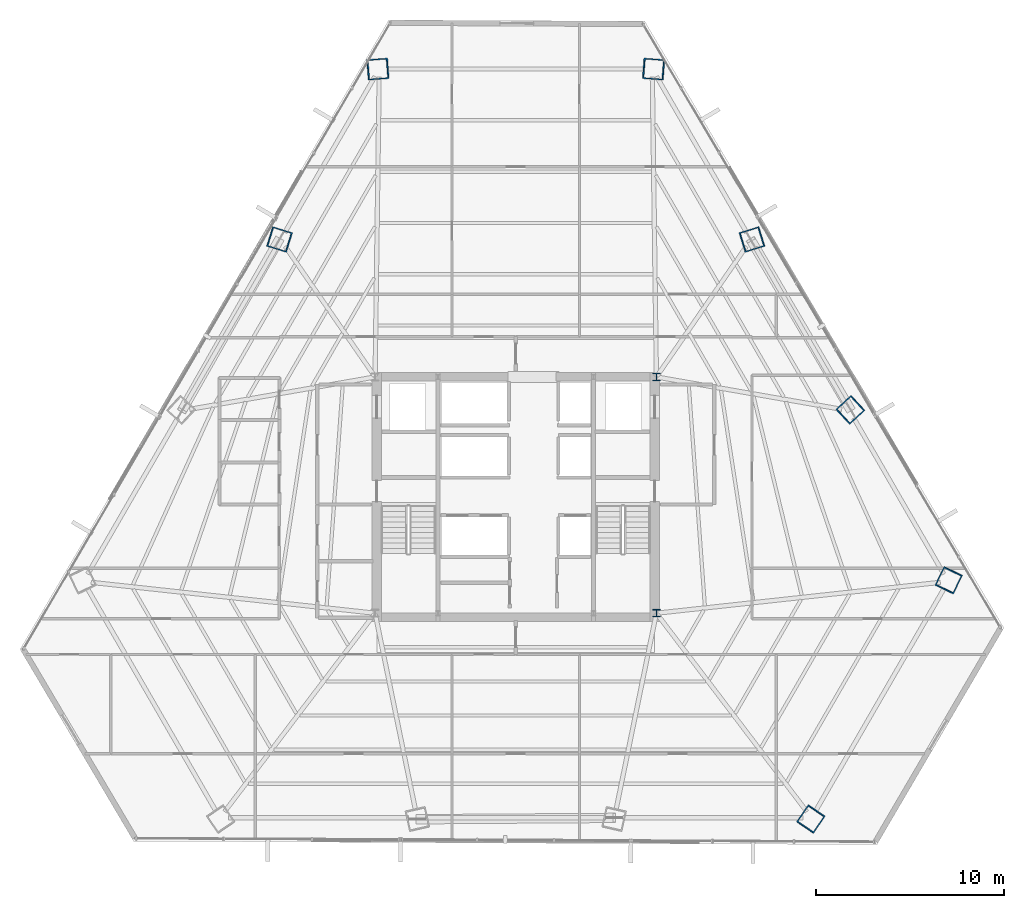
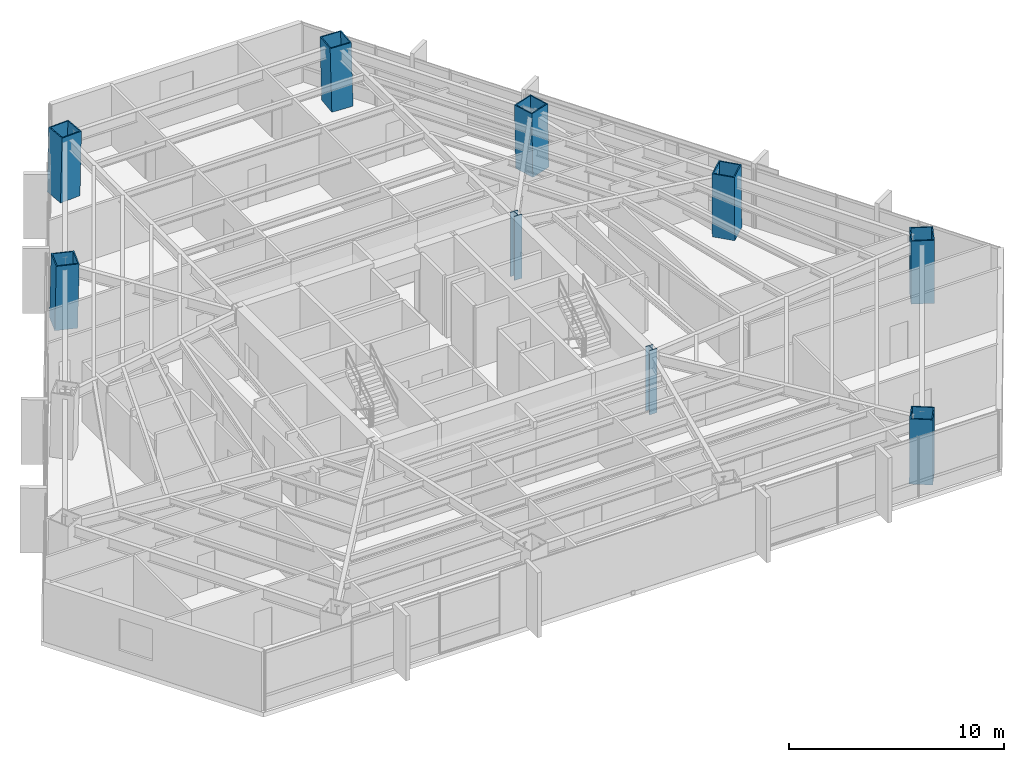
# One storey, part 3 of 35: 9 columns.
"""IFC4 building model written with IfcOpenShell, lengths in metres."""

from ifc_helpers import new_model, si_unit, direction, frame, origin, origin_2d, place, context, subcontext, project, spatial, hollow_rectangle, i_section, extrude, source, transform, mapped, material, material_profile, profile_set, type_object, type_shapes, element, save


model = new_model("IFC4")

# Units and contexts
model_context = context("Model", 3, precision=1e-05, world=origin(), true_north=direction((0.0, 1.0)))
body_context = subcontext(model_context, "Body", "Model", "MODEL_VIEW")
ifc_project = project(units=[si_unit("LENGTHUNIT", "METRE"), si_unit("AREAUNIT", "SQUARE_METRE"), si_unit("VOLUMEUNIT", "CUBIC_METRE"), si_unit("PLANEANGLEUNIT", "RADIAN"), si_unit("MASSUNIT", "GRAM", prefix="KILO")], contexts=[model_context])

# Site, building, storey
site_placement = place(None, origin())
site = spatial("IfcSite", under=ifc_project, at=site_placement, CompositionType="ELEMENT")
building_placement = place(site_placement, origin())
building = spatial("IfcBuilding", under=site, at=building_placement, Name="Caelisora Broadcast Tower", CompositionType="ELEMENT")
storey_placement = place(building_placement, frame((0.0, 0.0, 109.050048828125)))
storey = spatial("IfcBuildingStorey", under=building, at=storey_placement, Name="L28", CompositionType="ELEMENT", Elevation=109.050048828125)

# Columns
ifc_material_1 = material(Name="Steel Grade 350 (AS/NZS 3679.2)", Category="steel")
ifc_material_profile_1 = material_profile(ifc_material_1, i_section(OverallWidth=0.39990234375, OverallDepth=0.39990234375, WebThickness=0.02001953125, FlangeThickness=0.031982421875, at=origin_2d()), Name="Steel Grade 350 (AS/NZS 3679.2)")
ifc_profile_set_1 = profile_set([ifc_material_profile_1], Name="Steel Grade 350 (AS/NZS 3679.2)")
column_type_1 = type_object("IfcColumnType", Name="CC02", PredefinedType="COLUMN", material=ifc_profile_set_1)
shared_shape_1 = source(origin(), body_context, "Body", "SweptSolid", [
    extrude(i_section(OverallWidth=0.39990234375, OverallDepth=0.39990234375, WebThickness=0.02001953125, FlangeThickness=0.031982421875, at=origin_2d()), origin(), (0.0, 0.0, 1.0), 3.64990234375),
])
type_shapes(column_type_1, [shared_shape_1])
for number, where, z_axis, x_axis, name in (
    (1, (45.5, 17.39990234375, 0.0), (0.0, 0.0, 1.0), (1.0, 0.0, 0.0), "L28 column CC02"),
    (2, (45.5, 30.0, 0.0), (0.0, 0.0, 1.0), (1.0, 0.0, 0.0), "L28 column CC02"),
):
    element("IfcColumn", number, at=place(storey_placement, frame(where, z_axis=z_axis, x_axis=x_axis)), inside=storey, type_object=column_type_1, Name=name, PredefinedType="COLUMN", context=body_context, shape_type="MappedRepresentation", body=[
        mapped(shared_shape_1, transform((0.0, 0.0, 0.0), scale=1.0)),
    ])
ifc_material_2 = material(Name="Steel Grade 350 L15 (AS/NZS 3678)", Category="steel")
ifc_material_profile_2 = material_profile(ifc_material_2, hollow_rectangle(XDim=1.10009765625, YDim=1.10009765625, WallThickness=0.06005859375, at=origin_2d()), Name="Steel Grade 350 L15 (AS/NZS 3678)")
ifc_profile_set_2 = profile_set([ifc_material_profile_2], Name="Steel Grade 350 L15 (AS/NZS 3678)")
column_type_2 = type_object("IfcColumnType", Name="MC03", PredefinedType="COLUMN", material=ifc_profile_set_2)
shared_shape_2 = source(origin(), body_context, "Body", "SweptSolid", [
    extrude(hollow_rectangle(XDim=1.10009765625, YDim=1.10009765625, WallThickness=0.06005859375, at=origin_2d()), origin(), (0.0, 0.0, 1.0), 3.65087890625),
])
for number, where, z_axis, x_axis, name in (
    (3, (45.365966796875, 46.415283203125, 0.0), (-0.023872754168, 0.001805502416, 0.999713374808), (-0.075414875552, -0.997152243414, 0.0), "L28 column MC03"),
    (4, (30.634033203125, 46.415283203125, 0.0), (0.023872754168, 0.001805502416, 0.999713374808), (-0.075414875552, 0.997152243414, 0.0), "L28 column MC03"),
    (5, (53.729248046875, 6.413330078125, 0.0), (0.013507825582, 0.019793645407, 0.999712833893), (-0.825991119814, 0.563683129062, 0.0), "L28 column MC03"),
    (6, (61.09521484375, 19.17138671875, 0.0), (-0.010431780378, -0.021599135014, 0.999712286273), (0.900476348161, -0.434904985489, 0.0), "L28 column MC03"),
):
    element("IfcColumn", number, at=place(storey_placement, frame(where, z_axis=z_axis, x_axis=x_axis)), inside=storey, type_object=column_type_2, Name=name, PredefinedType="COLUMN", context=body_context, shape_type="MappedRepresentation", body=[
        mapped(shared_shape_2, transform((0.0, 0.0, 0.0), scale=1.0)),
    ])
shared_shape_3 = source(origin(), body_context, "Body", "SweptSolid", [
    extrude(hollow_rectangle(XDim=1.10009765625, YDim=1.10009765625, WallThickness=0.06005859375, at=origin_2d()), origin(), (0.0, 0.0, 1.0), 3.650634765625),
])
type_shapes(column_type_2, [shared_shape_2, shared_shape_3])
for number, where, z_axis, x_axis, name in (
    (7, (25.39111328125, 37.333984375, 0.0), (0.019393993486, -0.006018825565, 0.999793802119), (0.296399214872, 0.955064136811, 0.0), "L28 column MC03"),
    (8, (55.85205078125, 28.252685546875, 0.0), (-0.014913313399, -0.013776424037, 0.999793880369), (0.678553674548, -0.734550822447, 0.0), "L28 column MC03"),
    (9, (50.60888671875, 37.333984375, 0.0), (-0.019393993486, -0.006018825565, 0.999793802119), (0.296399214872, -0.955064136811, 0.0), "L28 column MC03"),
):
    element("IfcColumn", number, at=place(storey_placement, frame(where, z_axis=z_axis, x_axis=x_axis)), inside=storey, type_object=column_type_2, Name=name, PredefinedType="COLUMN", context=body_context, shape_type="MappedRepresentation", body=[
        mapped(shared_shape_3, transform((0.0, 0.0, 0.0), scale=1.0)),
    ])

save(model, "model.ifc")
